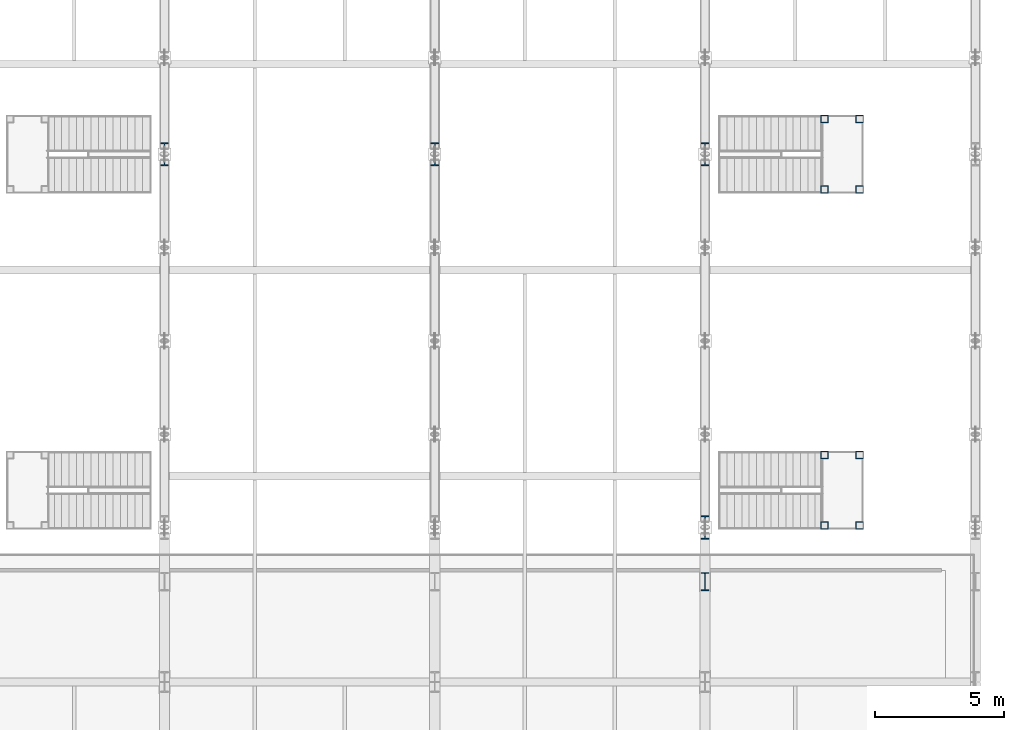
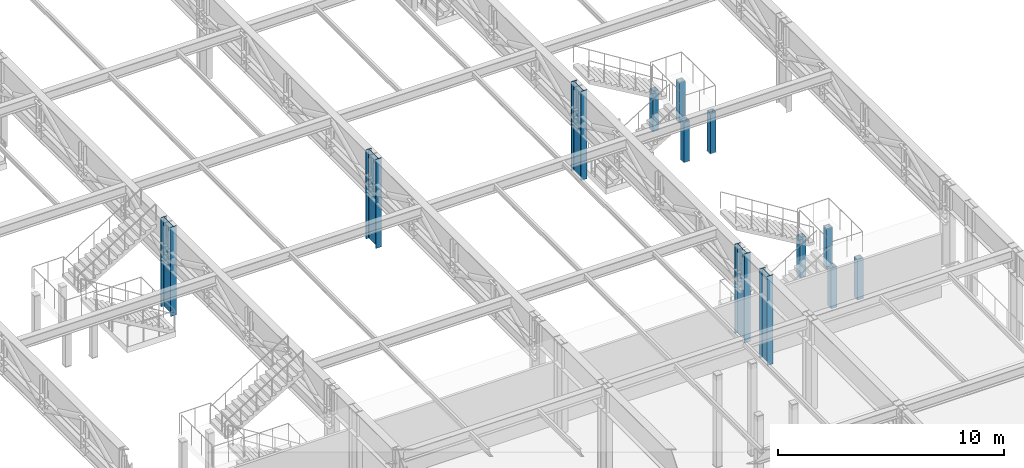
# One storey, part 6 of 143: 13 columns.
"""IFC4 building model written with IfcOpenShell, lengths in metres."""

from ifc_helpers import new_model, si_unit, direction, frame, origin, origin_2d, place, context, subcontext, project, spatial, hollow_rectangle, i_section, extrude, material, material_profile, profile_set, type_object, element, save


model = new_model("IFC4")

# Units and contexts
model_context = context("Model", 3, precision=1e-05, world=origin(), true_north=direction((0.0, 1.0)))
body_context = subcontext(model_context, "Body", "Model", "MODEL_VIEW")
ifc_project = project(units=[si_unit("LENGTHUNIT", "METRE"), si_unit("AREAUNIT", "SQUARE_METRE"), si_unit("VOLUMEUNIT", "CUBIC_METRE"), si_unit("PLANEANGLEUNIT", "RADIAN"), si_unit("MASSUNIT", "GRAM", prefix="KILO")], contexts=[model_context])

# Site, building, storey
site_placement = place(None, origin())
site = spatial("IfcSite", under=ifc_project, at=site_placement, CompositionType="ELEMENT")
building_placement = place(site_placement, origin())
building = spatial("IfcBuilding", under=site, at=building_placement, Name="Marlcrest Central Station", CompositionType="ELEMENT")
storey_placement = place(building_placement, frame((0.0, 0.0, 4.800048828125)))
storey = spatial("IfcBuildingStorey", under=building, at=storey_placement, Name="L01", CompositionType="ELEMENT", Elevation=4.800048828125)

# Columns
ifc_material = material(Name="Steel S355", Category="steel")
ifc_material_profile_1 = material_profile(ifc_material, i_section(OverallWidth=0.300048828125, OverallDepth=0.699951171875, WebThickness=0.01708984375, FlangeThickness=0.031982421875, FilletRadius=0.027099609375, at=origin_2d()), Name="HEB 700")
ifc_profile_set_1 = profile_set([ifc_material_profile_1], Name="Steel S355")
column_type_1 = type_object("IfcColumnType", Name="SC-07", PredefinedType="COLUMN", material=ifc_profile_set_1)
column_placement = place(storey_placement, frame((118.5, 34.39990234375, 0.0), z_axis=(0.0, 0.0, 1.0), x_axis=(1.0, 0.0, 0.0)))
element("IfcColumn", 1, at=column_placement, inside=storey, type_object=column_type_1, Name="col-SC-07-L01-0838", PredefinedType="COLUMN", context=body_context, shape_type="SweptSolid", body=[
    extrude(i_section(OverallWidth=0.300048828125, OverallDepth=0.699951171875, WebThickness=0.01708984375, FlangeThickness=0.031982421875, FilletRadius=0.027099609375, at=origin_2d()), origin(), (0.0, 0.0, 1.0), 4.81494140625),
])
ifc_material_profile_2 = material_profile(ifc_material, i_section(OverallWidth=0.300048828125, OverallDepth=0.89990234375, WebThickness=0.0185546875, FlangeThickness=0.034912109375, FilletRadius=0.030029296875, at=origin_2d()), Name="HEB 900")
ifc_profile_set_2 = profile_set([ifc_material_profile_2], Name="Steel S355")
column_type_2 = type_object("IfcColumnType", Name="SC-09", PredefinedType="COLUMN", material=ifc_profile_set_2)
for number, where, z_axis, x_axis, name in (
    (2, (97.5, 51.0, 0.0), (0.0, 0.0, 1.0), (1.0, 0.0, 0.0), "col-SC-09-L01-0630"),
    (3, (108.0, 51.0, 0.0), (0.0, 0.0, 1.0), (1.0, 0.0, 0.0), "col-SC-09-L01-0640"),
    (4, (118.5, 36.5, 0.0), (0.0, 0.0, 1.0), (1.0, 0.0, 0.0), "col-SC-09-L01-0648"),
    (5, (118.5, 51.0, 0.0), (0.0, 0.0, 1.0), (1.0, 0.0, 0.0), "col-SC-09-L01-0650"),
):
    element("IfcColumn", number, at=place(storey_placement, frame(where, z_axis=z_axis, x_axis=x_axis)), inside=storey, type_object=column_type_2, Name=name, PredefinedType="COLUMN", context=body_context, shape_type="SweptSolid", body=[
        extrude(i_section(OverallWidth=0.300048828125, OverallDepth=0.89990234375, WebThickness=0.0185546875, FlangeThickness=0.034912109375, FilletRadius=0.030029296875, at=origin_2d()), origin(), (0.0, 0.0, 1.0), 4.81494140625),
    ])
ifc_material_profile_3 = material_profile(ifc_material, hollow_rectangle(XDim=0.300048828125, YDim=0.300048828125, WallThickness=0.01611328125, at=origin_2d()), Name="SHS 300x300x16")
ifc_profile_set_3 = profile_set([ifc_material_profile_3], Name="Steel S355")
column_type_3 = type_object("IfcColumnType", Name="SC-19", PredefinedType="COLUMN", material=ifc_profile_set_3)
for number, where, z_axis, x_axis, name in (
    (6, (123.139892578125, 36.580078125, 0.0), (0.0, 0.0, 1.0), (1.0, 0.0, 0.0), "stcol-hi1-0006-1231-365"),
    (7, (123.139892578125, 39.320068359375, 0.0), (0.0, 0.0, 1.0), (1.0, 0.0, 0.0), "stcol-hi1-0006-1231-393"),
    (8, (124.5, 36.580078125, 0.0), (0.0, 0.0, 1.0), (1.0, 0.0, 0.0), "stcol-hi1-0006-1245-365"),
    (9, (124.5, 39.320068359375, 0.0), (0.0, 0.0, 1.0), (1.0, 0.0, 0.0), "stcol-hi1-0006-1245-393"),
    (10, (123.139892578125, 49.6298828125, 0.0), (0.0, 0.0, 1.0), (1.0, 0.0, 0.0), "stcol-hi1-0012-1231-496"),
    (11, (123.139892578125, 52.3701171875, 0.0), (0.0, 0.0, 1.0), (1.0, 0.0, 0.0), "stcol-hi1-0012-1231-523"),
    (12, (124.5, 49.6298828125, 0.0), (0.0, 0.0, 1.0), (1.0, 0.0, 0.0), "stcol-hi1-0012-1245-496"),
    (13, (124.5, 52.3701171875, 0.0), (0.0, 0.0, 1.0), (1.0, 0.0, 0.0), "stcol-hi1-0012-1245-523"),
):
    element("IfcColumn", number, at=place(storey_placement, frame(where, z_axis=z_axis, x_axis=x_axis)), inside=storey, type_object=column_type_3, Name=name, PredefinedType="COLUMN", context=body_context, shape_type="SweptSolid", body=[
        extrude(hollow_rectangle(XDim=0.300048828125, YDim=0.300048828125, WallThickness=0.01611328125, at=origin_2d()), origin(), (0.0, 0.0, 1.0), 2.179931640625),
    ])

save(model, "model.ifc")
